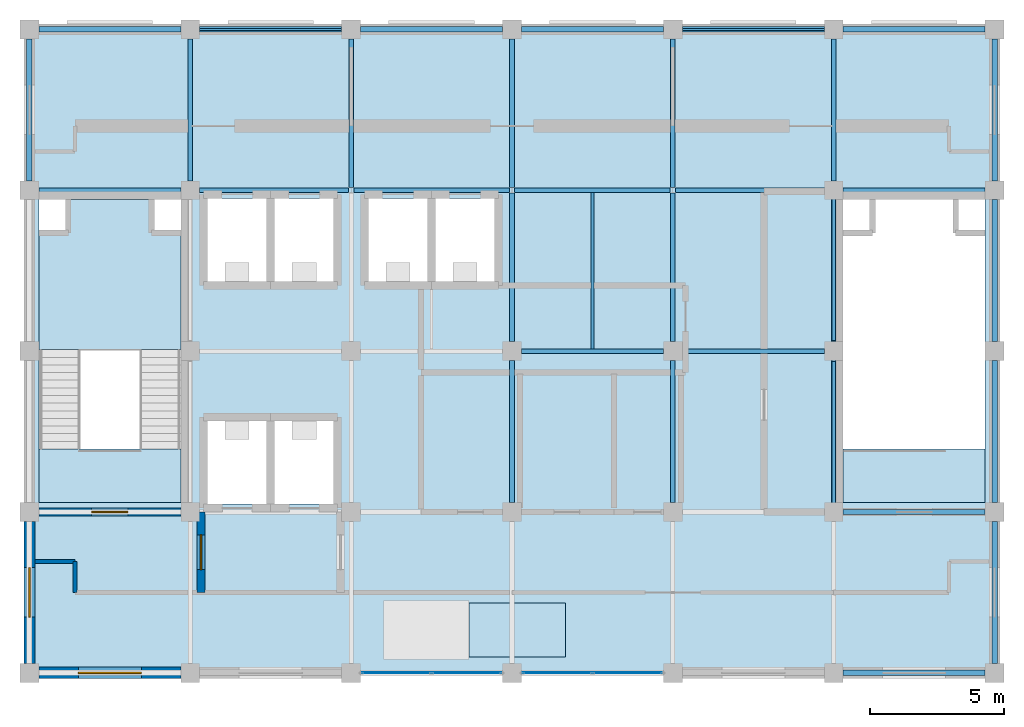
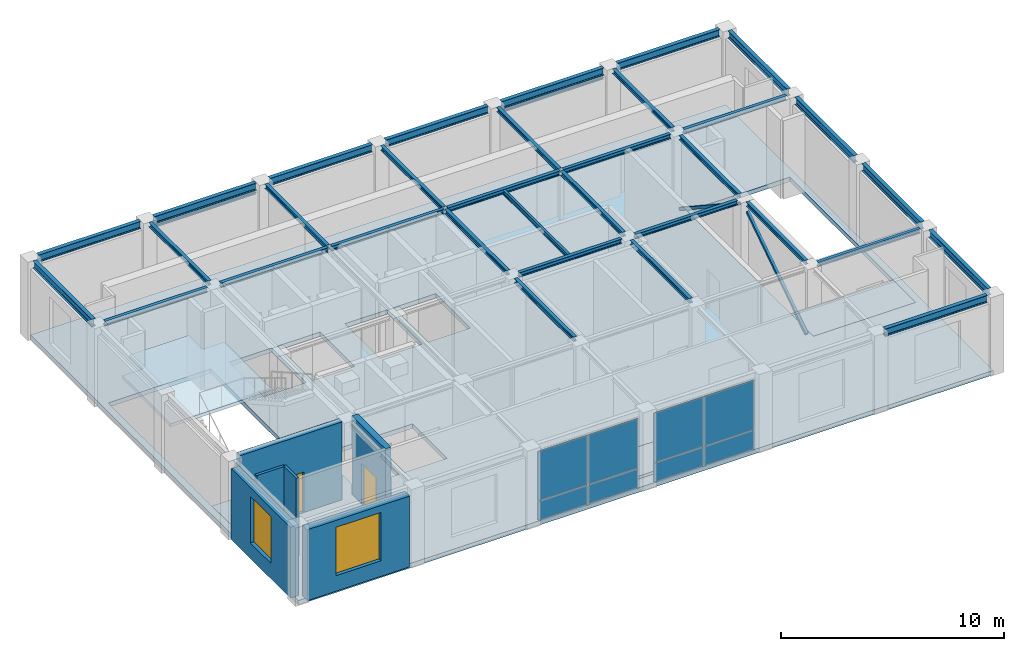
# One storey, part 7 of 11: 35 beams, 8 plates, 6 walls, 5 slabs, 2 doors, 2 members, 2 windows, 4 openings, 3 elements without a shape of their own.
"""IFC4 building model written with IfcOpenShell, lengths in metres."""

from ifc_helpers import new_model, si_unit, direction, frame, frame_2d, origin, origin_2d, place, context, subcontext, project, spatial, polyline, rectangle, hollow_rectangle, i_section, outline, extrude, material, layer, layer_set, material_profile, profile_set, type_object, element, fill, aggregate, save


model = new_model("IFC4")

# Units and contexts
model_context = context("Model", 3, precision=1e-05, world=origin(), true_north=direction((0.0, 1.0)))
body_context = subcontext(model_context, "Body", "Model", "MODEL_VIEW")
ifc_project = project(units=[si_unit("LENGTHUNIT", "METRE"), si_unit("AREAUNIT", "SQUARE_METRE"), si_unit("VOLUMEUNIT", "CUBIC_METRE"), si_unit("PLANEANGLEUNIT", "RADIAN"), si_unit("MASSUNIT", "GRAM", prefix="KILO")], contexts=[model_context])

# Site, building, storey
site_placement = place(None, origin())
site = spatial("IfcSite", under=ifc_project, at=site_placement, CompositionType="ELEMENT")
building_placement = place(site_placement, origin())
building = spatial("IfcBuilding", under=site, at=building_placement, Name="Zlatovratsky Civic Hall", CompositionType="ELEMENT")
storey_placement = place(building_placement, frame((0.0, 0.0, 72.0)))
storey = spatial("IfcBuildingStorey", under=building, at=storey_placement, Name="L18", CompositionType="ELEMENT", Elevation=72.0)

# Beams
ifc_material_1 = material(Name="Steel S355", Category="steel")
ifc_material_profile_1 = material_profile(ifc_material_1, i_section(OverallWidth=0.175048828125, OverallDepth=0.243896484375, WebThickness=0.007080078125, FlangeThickness=0.010986328125, FilletRadius=0.01611328125, at=origin_2d()), Name="25Sh1")
ifc_profile_set_1 = profile_set([ifc_material_profile_1], Name="Steel S355")
beam_type_1 = type_object("IfcBeamType", Name="Beam_Crown_25Sh1", PredefinedType="BEAM", material=ifc_profile_set_1)
for number, where, z_axis, x_axis, name in (
    (1, (96.35009765625, 84.0, 4.177978515625), (1.0, 0.0, 0.0), (0.0, 1.0, 0.0), "BM-5262"),
    (2, (84.35009765625, 90.0, 4.177978515625), (1.0, 0.0, 0.0), (0.0, 1.0, 0.0), "BM-5265"),
    (3, (90.35009765625, 90.0, 4.177978515625), (1.0, 0.0, 0.0), (0.0, 1.0, 0.0), "BM-5266"),
    (4, (66.35009765625, 96.0, 4.177978515625), (1.0, 0.0, 0.0), (0.0, 1.0, 0.0), "BM-5267"),
):
    element("IfcBeam", number, at=place(storey_placement, frame(where, z_axis=z_axis, x_axis=x_axis)), inside=storey, type_object=beam_type_1, Name=name, PredefinedType="BEAM", context=body_context, shape_type="SweptSolid", body=[
        extrude(i_section(OverallWidth=0.175048828125, OverallDepth=0.243896484375, WebThickness=0.007080078125, FlangeThickness=0.010986328125, FilletRadius=0.01611328125, at=origin_2d()), origin(), (0.0, 0.0, 1.0), 5.2998046875),
    ])
beam_1_placement = place(storey_placement, frame((72.35009765625, 96.0, 4.177978515625), z_axis=(1.0, 0.0, 0.0), x_axis=(0.0, 1.0, 0.0)))
element("IfcBeam", 5, at=beam_1_placement, inside=storey, type_object=beam_type_1, Name="BM-5268", PredefinedType="BEAM", context=body_context, shape_type="SweptSolid", body=[
    extrude(i_section(OverallWidth=0.175048828125, OverallDepth=0.243896484375, WebThickness=0.007080078125, FlangeThickness=0.010986328125, FilletRadius=0.01611328125, at=origin_2d()), origin(), (0.0, 0.0, 1.0), 5.5498046875),
])
for number, where, z_axis, x_axis, name in (
    (6, (78.10009765625, 96.0, 4.177978515625), (1.0, 0.0, 0.0), (0.0, 1.0, 0.0), "BM-5269"),
    (7, (84.10009765625, 96.0, 4.177978515625), (1.0, 0.0, 0.0), (0.0, 1.0, 0.0), "BM-5270"),
):
    element("IfcBeam", number, at=place(storey_placement, frame(where, z_axis=z_axis, x_axis=x_axis)), inside=storey, type_object=beam_type_1, Name=name, PredefinedType="BEAM", context=body_context, shape_type="SweptSolid", body=[
        extrude(i_section(OverallWidth=0.175048828125, OverallDepth=0.243896484375, WebThickness=0.007080078125, FlangeThickness=0.010986328125, FilletRadius=0.01611328125, at=origin_2d()), origin(), (0.0, 0.0, 1.0), 5.7998046875),
    ])
beam_2_placement = place(storey_placement, frame((90.10009765625, 96.0, 4.177978515625), z_axis=(1.0, 0.0, 0.0), x_axis=(0.0, 1.0, 0.0)))
element("IfcBeam", 8, at=beam_2_placement, inside=storey, type_object=beam_type_1, Name="BM-5271", PredefinedType="BEAM", context=body_context, shape_type="SweptSolid", body=[
    extrude(i_section(OverallWidth=0.175048828125, OverallDepth=0.243896484375, WebThickness=0.007080078125, FlangeThickness=0.010986328125, FilletRadius=0.01611328125, at=origin_2d()), origin(), (0.0, 0.0, 1.0), 5.5498046875),
])
for number, where, z_axis, x_axis, name in (
    (9, (96.35009765625, 96.0, 4.177978515625), (1.0, 0.0, 0.0), (0.0, 1.0, 0.0), "BM-5272"),
    (10, (72.0, 96.35009765625, 4.177978515625), (0.0, 1.0, 0.0), (-1.0, 0.0, 0.0), "BM-5286"),
):
    element("IfcBeam", number, at=place(storey_placement, frame(where, z_axis=z_axis, x_axis=x_axis)), inside=storey, type_object=beam_type_1, Name=name, PredefinedType="BEAM", context=body_context, shape_type="SweptSolid", body=[
        extrude(i_section(OverallWidth=0.175048828125, OverallDepth=0.243896484375, WebThickness=0.007080078125, FlangeThickness=0.010986328125, FilletRadius=0.01611328125, at=origin_2d()), origin(), (0.0, 0.0, 1.0), 5.2998046875),
    ])
beam_3_placement = place(storey_placement, frame((78.0, 96.10009765625, 4.177978515625), z_axis=(0.0, 1.0, 0.0), x_axis=(-1.0, 0.0, 0.0)))
element("IfcBeam", 11, at=beam_3_placement, inside=storey, type_object=beam_type_1, Name="BM-5290", PredefinedType="BEAM", context=body_context, shape_type="SweptSolid", body=[
    extrude(i_section(OverallWidth=0.175048828125, OverallDepth=0.243896484375, WebThickness=0.007080078125, FlangeThickness=0.010986328125, FilletRadius=0.01611328125, at=origin_2d()), origin(), (0.0, 0.0, 1.0), 5.5498046875),
])
beam_4_placement = place(storey_placement, frame((84.0, 84.35009765625, 4.177978515625), z_axis=(0.0, 1.0, 0.0), x_axis=(-1.0, 0.0, 0.0)))
element("IfcBeam", 12, at=beam_4_placement, inside=storey, type_object=beam_type_1, Name="BM-5292", PredefinedType="BEAM", context=body_context, shape_type="SweptSolid", body=[
    extrude(i_section(OverallWidth=0.175048828125, OverallDepth=0.243896484375, WebThickness=0.007080078125, FlangeThickness=0.010986328125, FilletRadius=0.01611328125, at=origin_2d()), origin(), (0.0, 0.0, 1.0), 5.2998046875),
])
for number, where, z_axis, x_axis, name in (
    (13, (84.0, 90.35009765625, 4.177978515625), (0.0, 1.0, 0.0), (-1.0, 0.0, 0.0), "BM-5293"),
    (14, (84.0, 96.10009765625, 4.177978515625), (0.0, 1.0, 0.0), (-1.0, 0.0, 0.0), "BM-5294"),
):
    element("IfcBeam", number, at=place(storey_placement, frame(where, z_axis=z_axis, x_axis=x_axis)), inside=storey, type_object=beam_type_1, Name=name, PredefinedType="BEAM", context=body_context, shape_type="SweptSolid", body=[
        extrude(i_section(OverallWidth=0.175048828125, OverallDepth=0.243896484375, WebThickness=0.007080078125, FlangeThickness=0.010986328125, FilletRadius=0.01611328125, at=origin_2d()), origin(), (0.0, 0.0, 1.0), 5.5498046875),
    ])
beam_5_placement = place(storey_placement, frame((90.0, 84.35009765625, 4.177978515625), z_axis=(0.0, 1.0, 0.0), x_axis=(-1.0, 0.0, 0.0)))
element("IfcBeam", 15, at=beam_5_placement, inside=storey, type_object=beam_type_1, Name="BM-5296", PredefinedType="BEAM", context=body_context, shape_type="SweptSolid", body=[
    extrude(i_section(OverallWidth=0.175048828125, OverallDepth=0.243896484375, WebThickness=0.007080078125, FlangeThickness=0.010986328125, FilletRadius=0.01611328125, at=origin_2d()), origin(), (0.0, 0.0, 1.0), 5.2998046875),
])
for number, where, z_axis, x_axis, name in (
    (16, (90.0, 90.35009765625, 4.177978515625), (0.0, 1.0, 0.0), (-1.0, 0.0, 0.0), "BM-5297"),
    (17, (90.0, 96.10009765625, 4.177978515625), (0.0, 1.0, 0.0), (-1.0, 0.0, 0.0), "BM-5298"),
):
    element("IfcBeam", number, at=place(storey_placement, frame(where, z_axis=z_axis, x_axis=x_axis)), inside=storey, type_object=beam_type_1, Name=name, PredefinedType="BEAM", context=body_context, shape_type="SweptSolid", body=[
        extrude(i_section(OverallWidth=0.175048828125, OverallDepth=0.243896484375, WebThickness=0.007080078125, FlangeThickness=0.010986328125, FilletRadius=0.01611328125, at=origin_2d()), origin(), (0.0, 0.0, 1.0), 5.5498046875),
    ])
for number, where, z_axis, x_axis, name in (
    (18, (96.0, 84.35009765625, 4.177978515625), (0.0, 1.0, 0.0), (-1.0, 0.0, 0.0), "BM-5300"),
    (19, (96.0, 90.35009765625, 4.177978515625), (0.0, 1.0, 0.0), (-1.0, 0.0, 0.0), "BM-5301"),
    (20, (96.0, 96.35009765625, 4.177978515625), (0.0, 1.0, 0.0), (-1.0, 0.0, 0.0), "BM-5302"),
):
    element("IfcBeam", number, at=place(storey_placement, frame(where, z_axis=z_axis, x_axis=x_axis)), inside=storey, type_object=beam_type_1, Name=name, PredefinedType="BEAM", context=body_context, shape_type="SweptSolid", body=[
        extrude(i_section(OverallWidth=0.175048828125, OverallDepth=0.243896484375, WebThickness=0.007080078125, FlangeThickness=0.010986328125, FilletRadius=0.01611328125, at=origin_2d()), origin(), (0.0, 0.0, 1.0), 5.2998046875),
    ])
ifc_material_profile_2 = material_profile(ifc_material_1, i_section(OverallWidth=0.199951171875, OverallDepth=0.39990234375, WebThickness=0.008056640625, FlangeThickness=0.012939453125, FilletRadius=0.014892578125, at=origin_2d()), Name="40B2")
ifc_profile_set_2 = profile_set([ifc_material_profile_2], Name="Steel S355")
beam_type_2 = type_object("IfcBeamType", Name="Beam_Spandrel_40B2", PredefinedType="SPANDREL", material=ifc_profile_set_2)
for number, where, z_axis, x_axis, name in (
    (21, (96.35009765625, 78.0, 4.10009765625), (1.0, 0.0, 0.0), (0.0, 1.0, 0.0), "BM-5256"),
    (22, (66.35009765625, 102.0, 4.10009765625), (1.0, 0.0, 0.0), (0.0, 1.0, 0.0), "BM-5273"),
    (23, (72.35009765625, 102.0, 4.10009765625), (1.0, 0.0, 0.0), (0.0, 1.0, 0.0), "BM-5274"),
    (24, (78.35009765625, 102.0, 4.10009765625), (1.0, 0.0, 0.0), (0.0, 1.0, 0.0), "BM-5275"),
    (25, (84.35009765625, 102.0, 4.10009765625), (1.0, 0.0, 0.0), (0.0, 1.0, 0.0), "BM-5276"),
    (26, (90.35009765625, 102.0, 4.10009765625), (1.0, 0.0, 0.0), (0.0, 1.0, 0.0), "BM-5277"),
    (27, (96.35009765625, 102.0, 4.10009765625), (1.0, 0.0, 0.0), (0.0, 1.0, 0.0), "BM-5278"),
    (28, (66.0, 96.35009765625, 4.10009765625), (0.0, 1.0, 0.0), (-1.0, 0.0, 0.0), "BM-5282"),
    (29, (102.0, 78.35009765625, 4.10009765625), (0.0, 1.0, 0.0), (-1.0, 0.0, 0.0), "BM-5303"),
    (30, (102.0, 84.35009765625, 4.10009765625), (0.0, 1.0, 0.0), (-1.0, 0.0, 0.0), "BM-5304"),
    (31, (102.0, 90.35009765625, 4.10009765625), (0.0, 1.0, 0.0), (-1.0, 0.0, 0.0), "BM-5305"),
    (32, (102.0, 96.35009765625, 4.10009765625), (0.0, 1.0, 0.0), (-1.0, 0.0, 0.0), "BM-5306"),
):
    element("IfcBeam", number, at=place(storey_placement, frame(where, z_axis=z_axis, x_axis=x_axis)), inside=storey, type_object=beam_type_2, Name=name, PredefinedType="SPANDREL", context=body_context, shape_type="SweptSolid", body=[
        extrude(i_section(OverallWidth=0.199951171875, OverallDepth=0.39990234375, WebThickness=0.008056640625, FlangeThickness=0.012939453125, FilletRadius=0.014892578125, at=origin_2d()), origin(), (0.0, 0.0, 1.0), 5.2998046875),
    ])

# Members
ifc_material_profile_3 = material_profile(ifc_material_1, hollow_rectangle(XDim=0.139892578125, YDim=0.139892578125, WallThickness=0.006103515625, at=origin_2d()), Name="SHS 140x140x6")
ifc_profile_set_3 = profile_set([ifc_material_profile_3], Name="Steel S355")
member_type = type_object("IfcMemberType", Name="Brace_Crown_SHS140", PredefinedType="BRACE", material=ifc_profile_set_3)
for number, where, z_axis, x_axis, name in (
    (33, (96.0, 84.35009765625, 0.25), (0.0, 0.834455271211, 0.5510756757), (-1.0, 0.0, 0.0), "MB-0178"),
    (34, (96.0, 90.35009765625, 3.75), (0.0, 0.834455271211, -0.5510756757), (-1.0, 0.0, 0.0), "MB-0179"),
):
    element("IfcMember", number, at=place(storey_placement, frame(where, z_axis=z_axis, x_axis=x_axis)), inside=storey, type_object=member_type, Name=name, PredefinedType="BRACE", context=body_context, shape_type="SweptSolid", body=[
        extrude(hollow_rectangle(XDim=0.139892578125, YDim=0.139892578125, WallThickness=0.006103515625, at=origin_2d()), origin(), (0.0, 0.0, 1.0), 6.351318359375),
    ])

# Beams
ifc_material_profile_4 = material_profile(ifc_material_1, i_section(OverallWidth=0.1240234375, OverallDepth=0.248046875, WebThickness=0.0048828125, FlangeThickness=0.008056640625, FilletRadius=0.011962890625, at=origin_2d()), Name="25B1")
ifc_profile_set_4 = profile_set([ifc_material_profile_4], Name="Steel S355")
beam_type_3 = type_object("IfcBeamType", Name="Joist_Upper_25B1", PredefinedType="JOIST", material=ifc_profile_set_4)
beam_6_placement = place(storey_placement, frame((87.0, 90.08740234375, 4.176025390625), z_axis=(0.0, 1.0, 0.0), x_axis=(-1.0, 0.0, 0.0)))
element("IfcBeam", 35, at=beam_6_placement, inside=storey, type_object=beam_type_3, Name="BM-5308", PredefinedType="JOIST", context=body_context, shape_type="SweptSolid", body=[
    extrude(i_section(OverallWidth=0.1240234375, OverallDepth=0.248046875, WebThickness=0.0048828125, FlangeThickness=0.008056640625, FilletRadius=0.011962890625, at=origin_2d()), origin(), (0.0, 0.0, 1.0), 5.8251953125),
])
ifc_material_profile_5 = material_profile(ifc_material_1, i_section(OverallWidth=0.08203125, OverallDepth=0.156982421875, WebThickness=0.00390625, FlangeThickness=0.005859375, FilletRadius=0.009033203125, at=origin_2d()), Name="16B1")
ifc_profile_set_5 = profile_set([ifc_material_profile_5], Name="Steel S355")
beam_type_4 = type_object("IfcBeamType", Name="Lintel_Window_16B1", PredefinedType="LINTEL", material=ifc_profile_set_5)
for number, where, z_axis, x_axis, name in (
    (36, (72.35009765625, 102.0, 3.719970703125), (1.0, 0.0, 0.0), (0.0, 1.0, 0.0), "BM-5408"),
    (37, (90.35009765625, 102.0, 3.719970703125), (1.0, 0.0, 0.0), (0.0, 1.0, 0.0), "BM-5409"),
):
    element("IfcBeam", number, at=place(storey_placement, frame(where, z_axis=z_axis, x_axis=x_axis)), inside=storey, type_object=beam_type_4, Name=name, PredefinedType="LINTEL", context=body_context, shape_type="SweptSolid", body=[
        extrude(i_section(OverallWidth=0.08203125, OverallDepth=0.156982421875, WebThickness=0.00390625, FlangeThickness=0.005859375, FilletRadius=0.009033203125, at=origin_2d()), origin(), (0.0, 0.0, 1.0), 5.2998046875),
    ])

# Curtain wall, plates
ifc_material_2 = material(Name="Anodised bronze aluminium", Category="aluminium")
ifc_layer_1 = layer(ifc_material_2, 0.159912109375)
ifc_layer_set_1 = layer_set([ifc_layer_1], Name="Anodised bronze aluminium")
curtain_wall_type = type_object("IfcCurtainWallType", Name="CurtainWall_Bronze_5300x3880_26", PredefinedType="NOTDEFINED", material=ifc_layer_set_1)
curtain_wall_1_placement = place(storey_placement, origin())
curtain_wall_1 = element("IfcCurtainWall", 38, at=curtain_wall_1_placement, inside=storey, type_object=curtain_wall_type, Name="CW-181", PredefinedType="NOTDEFINED")
ifc_material_3 = material(Name="Solar-control triple glazing", Category="glass")
ifc_layer_2 = layer(ifc_material_3, 0.031982421875)
ifc_layer_set_2 = layer_set([ifc_layer_2], Name="Solar-control triple glazing")
plate_type = type_object("IfcPlateType", Name="Panel_BelvedereAcoustic_32", PredefinedType="CURTAIN_PANEL", material=ifc_layer_set_2)
plate_1_placement = place(storey_placement, frame((79.68994140625, 78.0, 0.06005859375), z_axis=(0.0, 0.0, 1.0), x_axis=(1.0, 0.0, 0.0)))
plate_1 = element("IfcPlate", 39, at=plate_1_placement, type_object=plate_type, Name="CW-26 panel 1.1", PredefinedType="CURTAIN_PANEL", context=body_context, shape_type="SweptSolid", body=[
    extrude(rectangle(XDim=2.56005859375, YDim=0.031982421875, at=origin_2d()), origin(), (0.0, 0.0, 1.0), 1.010009765625),
])
plate_2_placement = place(storey_placement, frame((79.68994140625, 78.0, 1.130126953125), z_axis=(0.0, 0.0, 1.0), x_axis=(1.0, 0.0, 0.0)))
plate_2 = element("IfcPlate", 40, at=plate_2_placement, type_object=plate_type, Name="CW-26 panel 1.2", PredefinedType="CURTAIN_PANEL", context=body_context, shape_type="SweptSolid", body=[
    extrude(rectangle(XDim=2.56005859375, YDim=0.031982421875, at=origin_2d()), origin(), (0.0, 0.0, 1.0), 2.68994140625),
])
plate_3_placement = place(storey_placement, frame((82.31005859375, 78.0, 0.06005859375), z_axis=(0.0, 0.0, 1.0), x_axis=(1.0, 0.0, 0.0)))
plate_3 = element("IfcPlate", 41, at=plate_3_placement, type_object=plate_type, Name="CW-26 panel 2.1", PredefinedType="CURTAIN_PANEL", context=body_context, shape_type="SweptSolid", body=[
    extrude(rectangle(XDim=2.56005859375, YDim=0.031982421875, at=origin_2d()), origin(), (0.0, 0.0, 1.0), 1.010009765625),
])
plate_4_placement = place(storey_placement, frame((82.31005859375, 78.0, 1.130126953125), z_axis=(0.0, 0.0, 1.0), x_axis=(1.0, 0.0, 0.0)))
plate_4 = element("IfcPlate", 42, at=plate_4_placement, type_object=plate_type, Name="CW-26 panel 2.2", PredefinedType="CURTAIN_PANEL", context=body_context, shape_type="SweptSolid", body=[
    extrude(rectangle(XDim=2.56005859375, YDim=0.031982421875, at=origin_2d()), origin(), (0.0, 0.0, 1.0), 2.68994140625),
])
aggregate(curtain_wall_1, [plate_1, plate_2, plate_3, plate_4])

curtain_wall_2_placement = place(storey_placement, origin())
curtain_wall_2 = element("IfcCurtainWall", 43, at=curtain_wall_2_placement, inside=storey, type_object=curtain_wall_type, Name="CW-182", PredefinedType="NOTDEFINED")
plate_5_placement = place(storey_placement, frame((85.68994140625, 78.0, 0.06005859375), z_axis=(0.0, 0.0, 1.0), x_axis=(1.0, 0.0, 0.0)))
plate_5 = element("IfcPlate", 44, at=plate_5_placement, type_object=plate_type, Name="CW-26 panel 1.1", PredefinedType="CURTAIN_PANEL", context=body_context, shape_type="SweptSolid", body=[
    extrude(rectangle(XDim=2.56005859375, YDim=0.031982421875, at=origin_2d()), origin(), (0.0, 0.0, 1.0), 1.010009765625),
])
plate_6_placement = place(storey_placement, frame((85.68994140625, 78.0, 1.130126953125), z_axis=(0.0, 0.0, 1.0), x_axis=(1.0, 0.0, 0.0)))
plate_6 = element("IfcPlate", 45, at=plate_6_placement, type_object=plate_type, Name="CW-26 panel 1.2", PredefinedType="CURTAIN_PANEL", context=body_context, shape_type="SweptSolid", body=[
    extrude(rectangle(XDim=2.56005859375, YDim=0.031982421875, at=origin_2d()), origin(), (0.0, 0.0, 1.0), 2.68994140625),
])
plate_7_placement = place(storey_placement, frame((88.31005859375, 78.0, 0.06005859375), z_axis=(0.0, 0.0, 1.0), x_axis=(1.0, 0.0, 0.0)))
plate_7 = element("IfcPlate", 46, at=plate_7_placement, type_object=plate_type, Name="CW-26 panel 2.1", PredefinedType="CURTAIN_PANEL", context=body_context, shape_type="SweptSolid", body=[
    extrude(rectangle(XDim=2.56005859375, YDim=0.031982421875, at=origin_2d()), origin(), (0.0, 0.0, 1.0), 1.010009765625),
])
plate_8_placement = place(storey_placement, frame((88.31005859375, 78.0, 1.130126953125), z_axis=(0.0, 0.0, 1.0), x_axis=(1.0, 0.0, 0.0)))
plate_8 = element("IfcPlate", 47, at=plate_8_placement, type_object=plate_type, Name="CW-26 panel 2.2", PredefinedType="CURTAIN_PANEL", context=body_context, shape_type="SweptSolid", body=[
    extrude(rectangle(XDim=2.56005859375, YDim=0.031982421875, at=origin_2d()), origin(), (0.0, 0.0, 1.0), 2.68994140625),
])
aggregate(curtain_wall_2, [plate_5, plate_6, plate_7, plate_8])

# Slabs
ifc_material_4 = material(Name="Concrete C30/37 (B35)", Category="concrete")
ifc_layer_3 = layer(ifc_material_4, 0.239990234375)
ifc_layer_set_3 = layer_set([ifc_layer_3], Name="Concrete C30/37 (B35)")
slab_type_1 = type_object("IfcSlabType", Name="Slab_CivicPodiumFloor_240", PredefinedType="FLOOR", material=ifc_layer_set_3)
slab_1_placement = place(storey_placement, frame((0.0, 0.0, -0.239990234375)))
element("IfcSlab", 48, at=slab_1_placement, inside=storey, type_object=slab_type_1, Name="SL-091", PredefinedType="FLOOR", context=body_context, shape_type="SweptSolid", body=[
    extrude(outline(polyline([(66.0, 78.0), (102.0, 78.0), (102.0, 102.0), (66.0, 102.0), (66.0, 78.0)]), holes=[polyline([(66.35009765625, 84.35009765625), (71.64990234375, 84.35009765625), (71.64990234375, 95.64990234375), (66.35009765625, 95.64990234375), (66.35009765625, 84.35009765625)]), polyline([(96.35009765625, 84.35009765625), (101.64990234375, 84.35009765625), (101.64990234375, 95.64990234375), (96.35009765625, 95.64990234375), (96.35009765625, 84.35009765625)]), polyline([(72.64990234375, 84.300048828125), (74.85009765625, 84.300048828125), (74.85009765625, 87.39990234375), (72.64990234375, 87.39990234375), (72.64990234375, 84.300048828125)]), polyline([(75.14990234375, 84.300048828125), (77.35009765625, 84.300048828125), (77.35009765625, 87.39990234375), (75.14990234375, 87.39990234375), (75.14990234375, 84.300048828125)]), polyline([(72.64990234375, 92.60009765625), (74.85009765625, 92.60009765625), (74.85009765625, 95.699951171875), (72.64990234375, 95.699951171875), (72.64990234375, 92.60009765625)]), polyline([(75.14990234375, 92.60009765625), (77.35009765625, 92.60009765625), (77.35009765625, 95.699951171875), (75.14990234375, 95.699951171875), (75.14990234375, 92.60009765625)]), polyline([(78.64990234375, 92.60009765625), (80.85009765625, 92.60009765625), (80.85009765625, 95.699951171875), (78.64990234375, 95.699951171875), (78.64990234375, 92.60009765625)]), polyline([(81.14990234375, 92.60009765625), (83.35009765625, 92.60009765625), (83.35009765625, 95.699951171875), (81.14990234375, 95.699951171875), (81.14990234375, 92.60009765625)])]), origin(), (0.0, 0.0, 1.0), 0.239990234375),
])
slab_2_placement = place(storey_placement, frame((0.0, 0.0, -0.239990234375)))
element("IfcSlab", 49, at=slab_2_placement, inside=storey, type_object=slab_type_1, Name="SL-092", PredefinedType="FLOOR", context=body_context, shape_type="SweptSolid", body=[
    extrude(outline(polyline([(66.35009765625, 84.35009765625), (71.64990234375, 84.35009765625), (71.64990234375, 86.35009765625), (66.35009765625, 86.35009765625), (66.35009765625, 84.35009765625)])), origin(), (0.0, 0.0, 1.0), 0.239990234375),
])
slab_3_placement = place(storey_placement, frame((0.0, 0.0, -0.239990234375)))
element("IfcSlab", 50, at=slab_3_placement, inside=storey, type_object=slab_type_1, Name="SL-093", PredefinedType="FLOOR", context=body_context, shape_type="SweptSolid", body=[
    extrude(outline(polyline([(96.35009765625, 84.35009765625), (101.64990234375, 84.35009765625), (101.64990234375, 86.35009765625), (96.35009765625, 86.35009765625), (96.35009765625, 84.35009765625)])), origin(), (0.0, 0.0, 1.0), 0.239990234375),
])

# Stair, slab
stair_type = type_object("IfcStairType", Name="Stair_HALF_28R_1550W_03", PredefinedType="HALF_TURN_STAIR", material=ifc_material_4)
stair_placement = place(storey_placement, origin())
stair = element("IfcStair", 51, at=stair_placement, inside=storey, type_object=stair_type, Name="ST-019", PredefinedType="HALF_TURN_STAIR")
ifc_layer_4 = layer(ifc_material_4, 0.179931640625)
ifc_layer_set_4 = layer_set([ifc_layer_4], Name="Concrete C30/37 (B35)")
slab_type_2 = type_object("IfcSlabType", Name="Slab_StairLanding_180", PredefinedType="LANDING", material=ifc_layer_set_4)
slab_4_placement = place(storey_placement, frame((0.0, 0.0, 2.070068359375)))
slab_4 = element("IfcSlab", 52, at=slab_4_placement, type_object=slab_type_2, Name="SL-LD-19", PredefinedType="LANDING", context=body_context, shape_type="SweptSolid", body=[
    extrude(outline(polyline([(66.35009765625, 90.054931640625), (71.64990234375, 90.054931640625), (71.64990234375, 94.39990234375), (70.550048828125, 94.39990234375), (70.550048828125, 95.64990234375), (67.449951171875, 95.64990234375), (67.449951171875, 94.39990234375), (66.35009765625, 94.39990234375), (66.35009765625, 90.054931640625)])), origin(), (0.0, 0.0, 1.0), 0.179931640625),
])
aggregate(stair, [slab_4])

# Slab
ifc_layer_5 = layer(ifc_material_4, 0.159912109375)
ifc_layer_set_5 = layer_set([ifc_layer_5], Name="Concrete C30/37 (B35)")
slab_type_3 = type_object("IfcSlabType", Name="Slab_TowerCompositeFloor_160", PredefinedType="FLOOR", material=ifc_layer_set_5)
slab_5_placement = place(storey_placement, origin())
element("IfcSlab", 53, at=slab_5_placement, inside=storey, type_object=slab_type_3, Name="SL-RAMP-DAIS-06", PredefinedType="FLOOR", context=body_context, shape_type="SweptSolid", body=[
    extrude(outline(polyline([(82.39990234375, 78.60009765625), (86.0, 78.60009765625), (86.0, 80.60009765625), (82.39990234375, 80.60009765625), (82.39990234375, 78.60009765625)])), origin(), (0.0, 0.0, 1.0), 0.159912109375),
])

# Walls
ifc_material_5 = material(Name="Fire-rated gypsum board framing", Category="gypsum")
ifc_layer_6 = layer(ifc_material_5, 0.139892578125)
ifc_layer_set_6 = layer_set([ifc_layer_6], Name="Fire-rated gypsum board framing")
wall_type_1 = type_object("IfcWallType", Name="Wall_OfficePartition_140", PredefinedType="PARTITIONING", material=ifc_layer_set_6)
wall_1_placement = place(storey_placement, frame((67.699951171875, 81.0, 0.0), z_axis=(0.0, 0.0, 1.0), x_axis=(0.0, 1.0, 0.0)))
element("IfcWall", 54, at=wall_1_placement, inside=storey, type_object=wall_type_1, Name="WL-6835", PredefinedType="PARTITIONING", context=body_context, shape_type="SweptSolid", body=[
    extrude(rectangle(XDim=1.14990234375, YDim=0.139892578125, at=frame_2d((0.574951171875, 0.0))), origin(), (0.0, 0.0, 1.0), 4.300048828125),
])
wall_2_placement = place(storey_placement, frame((67.699951171875, 82.14990234375, 0.0), z_axis=(0.0, 0.0, 1.0), x_axis=(-1.0, 0.0, 0.0)))
element("IfcWall", 55, at=wall_2_placement, inside=storey, type_object=wall_type_1, Name="WL-6836", PredefinedType="PARTITIONING", context=body_context, shape_type="SweptSolid", body=[
    extrude(rectangle(XDim=1.489990234375, YDim=0.139892578125, at=frame_2d((0.7451171875, 0.0))), origin(), (0.0, 0.0, 1.0), 4.300048828125),
])

# Wall, opening, door
ifc_material_6 = material(Name="Concrete C35/45 (B40)", Category="concrete")
ifc_layer_7 = layer(ifc_material_6, 0.300048828125)
ifc_layer_set_7 = layer_set([ifc_layer_7], Name="Concrete C35/45 (B40)")
wall_type_2 = type_object("IfcWallType", Name="Wall_StairAndLiftShaft_300", PredefinedType="SHEAR", material=ifc_layer_set_7)
wall_3_placement = place(storey_placement, frame((66.35009765625, 84.0, 0.0), z_axis=(0.0, 0.0, 1.0), x_axis=(1.0, 0.0, 0.0)))
wall_3 = element("IfcWall", 56, at=wall_3_placement, inside=storey, type_object=wall_type_2, Name="WL-5144", PredefinedType="SHEAR", context=body_context, shape_type="SweptSolid", body=[
    extrude(rectangle(XDim=5.2998046875, YDim=0.300048828125, at=frame_2d((2.64990234375, 0.0))), origin(), (0.0, 0.0, 1.0), 4.260009765625),
])
opening_1_placement = place(wall_3_placement, frame((1.97509765625, 0.0, 0.0)))
opening_1 = element("IfcOpeningElement", 57, at=opening_1_placement, cuts=wall_3, Name="Opening D-17", PredefinedType="OPENING", context=body_context, shape_type="SweptSolid", body=[
    extrude(rectangle(XDim=1.35009765625, YDim=2.199951171875, at=frame_2d((0.675048828125, 1.10009765625))), frame((0.0, 0.1650390625, 0.0), z_axis=(0.0, -1.0, 0.0), x_axis=(1.0, 0.0, 0.0)), (0.0, 0.0, 1.0), 0.329833984375),
])
ifc_material_7 = material(Name="Insulated painted fire-rated steel leaf", Category="steel")
door_type_1 = type_object("IfcDoorType", Name="Door_StairwellFireTower_1350x2200", OperationType="NOTDEFINED", PredefinedType="DOOR", material=ifc_material_7)
door_1_placement = place(opening_1_placement, origin())
door_1 = element("IfcDoor", 58, at=door_1_placement, inside=storey, type_object=door_type_1, Name="DR-5019", OperationType="SINGLE_SWING_LEFT", OverallHeight=2.199951171875, OverallWidth=1.35009765625, PredefinedType="DOOR", context=body_context, shape_type="SweptSolid", body=[
    extrude(rectangle(XDim=1.35009765625, YDim=2.199951171875, at=frame_2d((0.675048828125, 1.10009765625))), frame((0.0, 0.02490234375, 0.0), z_axis=(0.0, -1.0, 0.0), x_axis=(1.0, 0.0, 0.0)), (0.0, 0.0, 1.0), 0.050048828125),
])
fill(opening_1, door_1)

wall_4_placement = place(storey_placement, frame((72.39990234375, 81.0, 0.0), z_axis=(0.0, 0.0, 1.0), x_axis=(0.0, 1.0, 0.0)))
wall_4 = element("IfcWall", 59, at=wall_4_placement, inside=storey, type_object=wall_type_2, Name="WL-6814", PredefinedType="SHEAR", context=body_context, shape_type="SweptSolid", body=[
    extrude(rectangle(XDim=3.0, YDim=0.300048828125, at=frame_2d((1.5, 0.0))), origin(), (0.0, 0.0, 1.0), 4.300048828125),
])
opening_2_placement = place(wall_4_placement, frame((0.85009765625, 0.0, 0.0)))
opening_2 = element("IfcOpeningElement", 60, at=opening_2_placement, cuts=wall_4, Name="Opening D-18", PredefinedType="OPENING", context=body_context, shape_type="SweptSolid", body=[
    extrude(rectangle(XDim=1.300048828125, YDim=2.199951171875, at=frame_2d((0.64990234375, 1.10009765625))), frame((0.0, 0.1650390625, 0.0), z_axis=(0.0, -1.0, 0.0), x_axis=(1.0, 0.0, 0.0)), (0.0, 0.0, 1.0), 0.329833984375),
])
door_type_2 = type_object("IfcDoorType", Name="Door_FireLobbyAirlock_1300x2200", OperationType="NOTDEFINED", PredefinedType="DOOR", material=ifc_material_7)
door_2_placement = place(opening_2_placement, origin())
door_2 = element("IfcDoor", 61, at=door_2_placement, inside=storey, type_object=door_type_2, Name="DR-5567", OperationType="SINGLE_SWING_RIGHT", OverallHeight=2.199951171875, OverallWidth=1.300048828125, PredefinedType="DOOR", context=body_context, shape_type="SweptSolid", body=[
    extrude(rectangle(XDim=1.300048828125, YDim=2.199951171875, at=frame_2d((0.64990234375, 1.10009765625))), frame((0.0, 0.02490234375, 0.0), z_axis=(0.0, -1.0, 0.0), x_axis=(1.0, 0.0, 0.0)), (0.0, 0.0, 1.0), 0.050048828125),
])
fill(opening_2, door_2)

# Wall, opening, window
ifc_material_8 = material(Name="Acoustic ceramic blockwork", Category="masonry")
ifc_layer_8 = layer(ifc_material_8, 0.280029296875, Name="Backing")
ifc_material_9 = material(Name="Podolsk limestone ashlar", Category="masonry")
ifc_layer_9 = layer(ifc_material_9, 0.139892578125, Name="Finish")
ifc_layer_set_8 = layer_set([ifc_layer_8, ifc_layer_9], Name="Acoustic ceramic blockwork")
wall_type_3 = type_object("IfcWallType", Name="Wall_TowerLimestoneAshlar_420", PredefinedType="SOLIDWALL", material=ifc_layer_set_8)
wall_5_placement = place(storey_placement, frame((66.35009765625, 78.0, 0.0), z_axis=(0.0, 0.0, 1.0), x_axis=(1.0, 0.0, 0.0)))
wall_5 = element("IfcWall", 62, at=wall_5_placement, inside=storey, type_object=wall_type_3, Name="WL-0685", PredefinedType="SOLIDWALL", context=body_context, shape_type="SweptSolid", body=[
    extrude(rectangle(XDim=5.2998046875, YDim=0.419921875, at=frame_2d((2.64990234375, 0.0))), origin(), (0.0, 0.0, 1.0), 3.8798828125),
])
opening_3_placement = place(wall_5_placement, frame((1.47509765625, 0.0, 0.85009765625)))
opening_3 = element("IfcOpeningElement", 63, at=opening_3_placement, cuts=wall_5, Name="Opening WN-25", PredefinedType="OPENING", context=body_context, shape_type="SweptSolid", body=[
    extrude(rectangle(XDim=2.35009765625, YDim=2.64990234375, at=frame_2d((1.175048828125, 1.324951171875))), frame((0.0, 0.224853515625, 0.0), z_axis=(0.0, -1.0, 0.0), x_axis=(1.0, 0.0, 0.0)), (0.0, 0.0, 1.0), 0.44970703125),
])
ifc_material_10 = material(Name="Low-E laminated double glazing", Category="glass")
window_type_1 = type_object("IfcWindowType", Name="Window_BelvedereL18Arch_2350x2650", PartitioningType="SINGLE_PANEL", PredefinedType="WINDOW", material=ifc_material_10)
window_1_placement = place(opening_3_placement, origin())
window_1 = element("IfcWindow", 64, at=window_1_placement, inside=storey, type_object=window_type_1, Name="WN-0541", OverallHeight=2.64990234375, OverallWidth=2.35009765625, PartitioningType="SINGLE_PANEL", PredefinedType="WINDOW", context=body_context, shape_type="SweptSolid", body=[
    extrude(rectangle(XDim=2.35009765625, YDim=2.64990234375, at=frame_2d((1.175048828125, 1.324951171875))), frame((0.0, 0.030029296875, 0.0), z_axis=(0.0, -1.0, 0.0), x_axis=(1.0, 0.0, 0.0)), (0.0, 0.0, 1.0), 0.06005859375),
])
fill(opening_3, window_1)

wall_6_placement = place(storey_placement, frame((66.0, 78.35009765625, 0.0), z_axis=(0.0, 0.0, 1.0), x_axis=(0.0, 1.0, 0.0)))
wall_6 = element("IfcWall", 65, at=wall_6_placement, inside=storey, type_object=wall_type_3, Name="WL-0695", PredefinedType="SOLIDWALL", context=body_context, shape_type="SweptSolid", body=[
    extrude(rectangle(XDim=5.2998046875, YDim=0.419921875, at=frame_2d((2.64990234375, 0.0))), origin(), (0.0, 0.0, 1.0), 3.8798828125),
])
opening_4_placement = place(wall_6_placement, frame((1.72509765625, 0.0, 0.85009765625)))
opening_4 = element("IfcOpeningElement", 66, at=opening_4_placement, cuts=wall_6, Name="Opening WN-26", PredefinedType="OPENING", context=body_context, shape_type="SweptSolid", body=[
    extrude(rectangle(XDim=1.85009765625, YDim=2.550048828125, at=frame_2d((0.925048828125, 1.27490234375))), frame((0.0, 0.224853515625, 0.0), z_axis=(0.0, -1.0, 0.0), x_axis=(1.0, 0.0, 0.0)), (0.0, 0.0, 1.0), 0.44970703125),
])
window_type_2 = type_object("IfcWindowType", Name="Window_BelvedereL18Flank_1850x2550", PartitioningType="SINGLE_PANEL", PredefinedType="WINDOW", material=ifc_material_10)
window_2_placement = place(opening_4_placement, origin())
window_2 = element("IfcWindow", 67, at=window_2_placement, inside=storey, type_object=window_type_2, Name="WN-0545", OverallHeight=2.550048828125, OverallWidth=1.85009765625, PartitioningType="SINGLE_PANEL", PredefinedType="WINDOW", context=body_context, shape_type="SweptSolid", body=[
    extrude(rectangle(XDim=1.85009765625, YDim=2.550048828125, at=frame_2d((0.925048828125, 1.27490234375))), frame((0.0, 0.030029296875, 0.0), z_axis=(0.0, -1.0, 0.0), x_axis=(1.0, 0.0, 0.0)), (0.0, 0.0, 1.0), 0.06005859375),
])
fill(opening_4, window_2)

save(model, "model.ifc")
